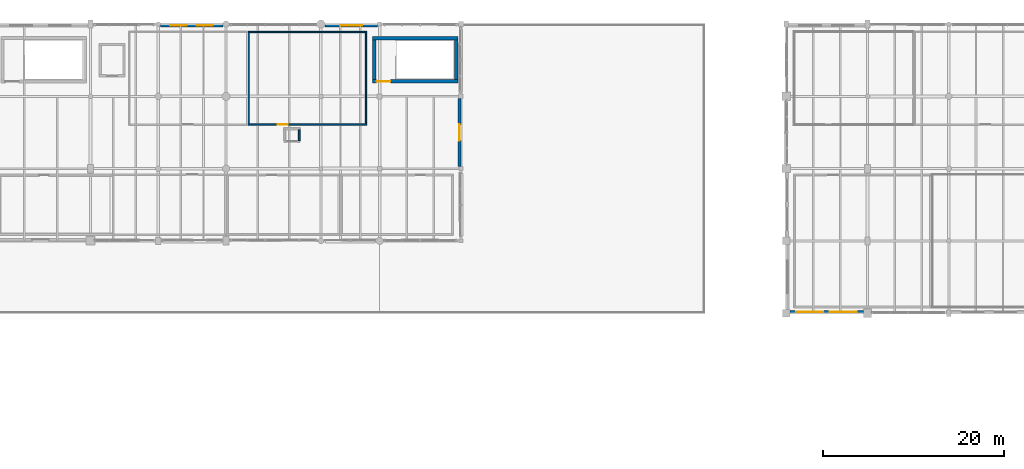
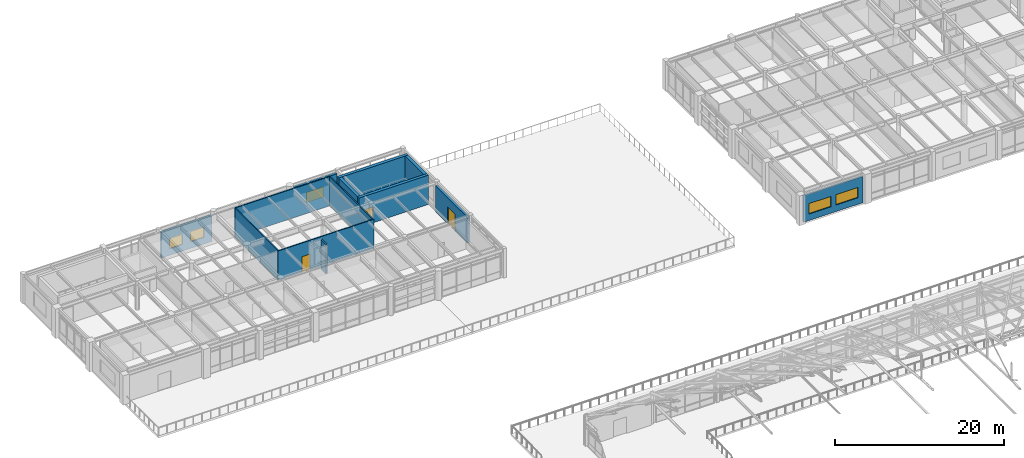
# One storey, part 153 of 168: 13 walls, 5 windows, 3 doors, 8 openings.
"""IFC4 building model written with IfcOpenShell, lengths in metres."""

from ifc_helpers import new_model, si_unit, direction, frame, frame_2d, origin, place, context, subcontext, project, spatial, rectangle, extrude, material, layer, layer_set, type_object, element, fill, save


model = new_model("IFC4")

# Units and contexts
model_context = context("Model", 3, precision=1e-05, world=origin(), true_north=direction((0.0, 1.0)))
body_context = subcontext(model_context, "Body", "Model", "MODEL_VIEW")
ifc_project = project(units=[si_unit("LENGTHUNIT", "METRE"), si_unit("AREAUNIT", "SQUARE_METRE"), si_unit("VOLUMEUNIT", "CUBIC_METRE"), si_unit("PLANEANGLEUNIT", "RADIAN"), si_unit("MASSUNIT", "GRAM", prefix="KILO"), si_unit("THERMODYNAMICTEMPERATUREUNIT", "KELVIN"), si_unit("POWERUNIT", "WATT")], contexts=[model_context])

# Site, building, storey
site_placement = place(None, origin())
site = spatial("IfcSite", under=ifc_project, at=site_placement, CompositionType="ELEMENT")
building_placement = place(site_placement, origin())
building = spatial("IfcBuilding", under=site, at=building_placement, Name="Tepalcoro Natatorium and Aquatics Centre", CompositionType="ELEMENT")
storey_placement = place(building_placement, frame((0.0, 0.0, 10.199951171875)))
storey = spatial("IfcBuildingStorey", under=building, at=storey_placement, Name="L02", CompositionType="ELEMENT", Elevation=10.199951171875)

# Wall, openings, windows
ifc_material_1 = material(Name="Precast Concrete C45/55 (fc 45 MPa)", Category="concrete")
ifc_layer_1 = layer(ifc_material_1, 0.284912109375)
ifc_layer_set_1 = layer_set([ifc_layer_1], Name="Precast Concrete C45/55 (fc 45 MPa)")
wall_type_1 = type_object("IfcWallType", Name="WL_EXT_INSUL_280", PredefinedType="SOLIDWALL", material=ifc_layer_set_1)
wall_1_placement = place(storey_placement, frame((98.404052734375, 86.142578125, 0.0), z_axis=(0.0, 0.0, 1.0), x_axis=(1.0, 0.0, 0.0)))
wall_1 = element("IfcWall", 1, at=wall_1_placement, inside=storey, type_object=wall_type_1, Name="V5 L02 S Volcanic Basalt Envelope Wall", PredefinedType="SOLIDWALL", context=body_context, shape_type="SweptSolid", body=[
    extrude(rectangle(XDim=8.141845703125, YDim=0.284912109375, at=frame_2d((4.07080078125, 0.0))), origin(), (0.0, 0.0, 1.0), 3.81005859375),
])
opening_1_placement = place(wall_1_placement, frame((0.714111328125, 0.0, 0.949951171875)))
opening_1 = element("IfcOpeningElement", 2, at=opening_1_placement, cuts=wall_1, Name="Opening W0096A", PredefinedType="OPENING", context=body_context, shape_type="SweptSolid", body=[
    extrude(rectangle(XDim=3.0, YDim=1.5, at=frame_2d((1.5, 0.75))), frame((0.0, 0.154296875, 0.0), z_axis=(0.0, -1.0, 0.0), x_axis=(1.0, 0.0, 0.0)), (0.0, 0.0, 1.0), 0.308837890625),
])
opening_2_placement = place(wall_1_placement, frame((4.427978515625, 0.0, 0.949951171875)))
opening_2 = element("IfcOpeningElement", 3, at=opening_2_placement, cuts=wall_1, Name="Opening W0096B", PredefinedType="OPENING", context=body_context, shape_type="SweptSolid", body=[
    extrude(rectangle(XDim=3.0, YDim=1.5, at=frame_2d((1.5, 0.75))), frame((0.0, 0.154296875, 0.0), z_axis=(0.0, -1.0, 0.0), x_axis=(1.0, 0.0, 0.0)), (0.0, 0.0, 1.0), 0.308837890625),
])
ifc_material_2 = material(Name="Solar-Control Bronze Tempered Low-E Double Glazing", Category="glass")
window_type_1 = type_object("IfcWindowType", Name="WN_300x150", PartitioningType="SINGLE_PANEL", PredefinedType="WINDOW", material=ifc_material_2)
window_1_placement = place(opening_1_placement, origin())
window_1 = element("IfcWindow", 4, at=window_1_placement, inside=storey, type_object=window_type_1, Name="Exterior Thermal Window WN_300x150", OverallHeight=1.5, OverallWidth=3.0, PartitioningType="SINGLE_PANEL", PredefinedType="WINDOW", context=body_context, shape_type="SweptSolid", body=[
    extrude(rectangle(XDim=3.0, YDim=1.5, at=frame_2d((1.5, 0.75))), frame((0.0, 0.030029296875, 0.0), z_axis=(0.0, -1.0, 0.0), x_axis=(1.0, 0.0, 0.0)), (0.0, 0.0, 1.0), 0.06005859375),
])
fill(opening_1, window_1)
window_2_placement = place(opening_2_placement, origin())
window_2 = element("IfcWindow", 5, at=window_2_placement, inside=storey, type_object=window_type_1, Name="Exterior Thermal Window WN_300x150", OverallHeight=1.5, OverallWidth=3.0, PartitioningType="SINGLE_PANEL", PredefinedType="WINDOW", context=body_context, shape_type="SweptSolid", body=[
    extrude(rectangle(XDim=3.0, YDim=1.5, at=frame_2d((1.5, 0.75))), frame((0.0, 0.030029296875, 0.0), z_axis=(0.0, -1.0, 0.0), x_axis=(1.0, 0.0, 0.0)), (0.0, 0.0, 1.0), 0.06005859375),
])
fill(opening_2, window_2)

ifc_material_3 = material(Name="Jalisco Cantera Rosa Volcanic Tuff Ashlar Masonry", Category="masonry")
ifc_layer_2 = layer(ifc_material_3, 0.320068359375)
ifc_layer_set_2 = layer_set([ifc_layer_2], Name="Jalisco Cantera Rosa Volcanic Tuff Ashlar Masonry")
wall_type_2 = type_object("IfcWallType", Name="WL_EXT_STONE_320", PredefinedType="SOLIDWALL", material=ifc_layer_set_2)
wall_2_placement = place(storey_placement, frame((28.75390625, 117.840087890625, 0.0), z_axis=(0.0, 0.0, 1.0), x_axis=(1.0, 0.0, 0.0)))
wall_2 = element("IfcWall", 6, at=wall_2_placement, inside=storey, type_object=wall_type_2, Name="V4 L02 N Volcanic Basalt Envelope Wall", PredefinedType="SOLIDWALL", context=body_context, shape_type="SweptSolid", body=[
    extrude(rectangle(XDim=6.89208984375, YDim=0.320068359375, at=frame_2d((3.446044921875, 0.0))), origin(), (0.0, 0.0, 1.0), 3.68408203125),
])
opening_3_placement = place(wall_2_placement, frame((1.097412109375, 0.0, 0.949951171875)))
opening_3 = element("IfcOpeningElement", 7, at=opening_3_placement, cuts=wall_2, Name="Opening W0079A", PredefinedType="OPENING", context=body_context, shape_type="SweptSolid", body=[
    extrude(rectangle(XDim=1.800048828125, YDim=1.5, at=frame_2d((0.89990234375, 0.75))), frame((0.0, 0.171875, 0.0), z_axis=(0.0, -1.0, 0.0), x_axis=(1.0, 0.0, 0.0)), (0.0, 0.0, 1.0), 0.343994140625),
])
opening_4_placement = place(wall_2_placement, frame((3.99462890625, 0.0, 0.949951171875)))
opening_4 = element("IfcOpeningElement", 8, at=opening_4_placement, cuts=wall_2, Name="Opening W0079B", PredefinedType="OPENING", context=body_context, shape_type="SweptSolid", body=[
    extrude(rectangle(XDim=1.800048828125, YDim=1.5, at=frame_2d((0.89990234375, 0.75))), frame((0.0, 0.171875, 0.0), z_axis=(0.0, -1.0, 0.0), x_axis=(1.0, 0.0, 0.0)), (0.0, 0.0, 1.0), 0.343994140625),
])
window_type_2 = type_object("IfcWindowType", Name="WN_180x150", PartitioningType="SINGLE_PANEL", PredefinedType="WINDOW", material=ifc_material_2)
window_3_placement = place(opening_3_placement, origin())
window_3 = element("IfcWindow", 9, at=window_3_placement, inside=storey, type_object=window_type_2, Name="Exterior Thermal Window WN_180x150", OverallHeight=1.5, OverallWidth=1.800048828125, PartitioningType="SINGLE_PANEL", PredefinedType="WINDOW", context=body_context, shape_type="SweptSolid", body=[
    extrude(rectangle(XDim=1.800048828125, YDim=1.5, at=frame_2d((0.89990234375, 0.75))), frame((0.0, 0.030029296875, 0.0), z_axis=(0.0, -1.0, 0.0), x_axis=(1.0, 0.0, 0.0)), (0.0, 0.0, 1.0), 0.06005859375),
])
fill(opening_3, window_3)
window_4_placement = place(opening_4_placement, origin())
window_4 = element("IfcWindow", 10, at=window_4_placement, inside=storey, type_object=window_type_2, Name="Exterior Thermal Window WN_180x150", OverallHeight=1.5, OverallWidth=1.800048828125, PartitioningType="SINGLE_PANEL", PredefinedType="WINDOW", context=body_context, shape_type="SweptSolid", body=[
    extrude(rectangle(XDim=1.800048828125, YDim=1.5, at=frame_2d((0.89990234375, 0.75))), frame((0.0, 0.030029296875, 0.0), z_axis=(0.0, -1.0, 0.0), x_axis=(1.0, 0.0, 0.0)), (0.0, 0.0, 1.0), 0.06005859375),
])
fill(opening_4, window_4)

# Wall, opening, window
wall_3_placement = place(storey_placement, frame((46.9541015625, 117.840087890625, 0.0), z_axis=(0.0, 0.0, 1.0), x_axis=(1.0, 0.0, 0.0)))
wall_3 = element("IfcWall", 11, at=wall_3_placement, inside=storey, type_object=wall_type_2, Name="V4 L02 N Volcanic Basalt Envelope Wall", PredefinedType="SOLIDWALL", context=body_context, shape_type="SweptSolid", body=[
    extrude(rectangle(XDim=5.81689453125, YDim=0.320068359375, at=frame_2d((2.908447265625, 0.0))), origin(), (0.0, 0.0, 1.0), 3.80712890625),
])
opening_5_placement = place(wall_3_placement, frame((1.70849609375, 0.0, 0.949951171875)))
opening_5 = element("IfcOpeningElement", 12, at=opening_5_placement, cuts=wall_3, Name="Opening W0080", PredefinedType="OPENING", context=body_context, shape_type="SweptSolid", body=[
    extrude(rectangle(XDim=2.39990234375, YDim=1.5, at=frame_2d((1.199951171875, 0.75))), frame((0.0, 0.171875, 0.0), z_axis=(0.0, -1.0, 0.0), x_axis=(1.0, 0.0, 0.0)), (0.0, 0.0, 1.0), 0.343994140625),
])
window_type_3 = type_object("IfcWindowType", Name="WN_240x150", PartitioningType="SINGLE_PANEL", PredefinedType="WINDOW", material=ifc_material_2)
window_5_placement = place(opening_5_placement, origin())
window_5 = element("IfcWindow", 13, at=window_5_placement, inside=storey, type_object=window_type_3, Name="Exterior Thermal Window WN_240x150", OverallHeight=1.5, OverallWidth=2.39990234375, PartitioningType="SINGLE_PANEL", PredefinedType="WINDOW", context=body_context, shape_type="SweptSolid", body=[
    extrude(rectangle(XDim=2.39990234375, YDim=1.5, at=frame_2d((1.199951171875, 0.75))), frame((0.0, 0.030029296875, 0.0), z_axis=(0.0, -1.0, 0.0), x_axis=(1.0, 0.0, 0.0)), (0.0, 0.0, 1.0), 0.06005859375),
])
fill(opening_5, window_5)

# Wall, opening, door
ifc_layer_3 = layer(ifc_material_3, 0.304931640625)
ifc_layer_set_3 = layer_set([ifc_layer_3], Name="Jalisco Cantera Rosa Volcanic Tuff Ashlar Masonry")
wall_type_3 = type_object("IfcWallType", Name="WL_EXT_TERRACOTTA_300", PredefinedType="SOLIDWALL", material=ifc_layer_set_3)
wall_4_placement = place(storey_placement, frame((61.847412109375, 102.22900390625, 0.0), z_axis=(0.0, 0.0, 1.0), x_axis=(0.0, 1.0, 0.0)))
wall_4 = element("IfcWall", 14, at=wall_4_placement, inside=storey, type_object=wall_type_3, Name="V4 L02 E Volcanic Basalt Envelope Wall", PredefinedType="SOLIDWALL", context=body_context, shape_type="SweptSolid", body=[
    extrude(rectangle(XDim=7.51708984375, YDim=0.304931640625, at=frame_2d((3.758544921875, 0.0))), origin(), (0.0, 0.0, 1.0), 3.760009765625),
])
opening_6_placement = place(wall_4_placement, frame((2.8583984375, 0.0, 0.0)))
opening_6 = element("IfcOpeningElement", 15, at=opening_6_placement, cuts=wall_4, Name="Opening ED5038", PredefinedType="OPENING", context=body_context, shape_type="SweptSolid", body=[
    extrude(rectangle(XDim=1.800048828125, YDim=2.39990234375, at=frame_2d((0.89990234375, 1.199951171875))), frame((0.0, 0.16455078125, 0.0), z_axis=(0.0, -1.0, 0.0), x_axis=(1.0, 0.0, 0.0)), (0.0, 0.0, 1.0), 0.328857421875),
])
ifc_material_4 = material(Name="Bronze-Anodised Extruded Aluminium Alloy EN AW-6063 T6", Category="aluminium")
door_type_1 = type_object("IfcDoorType", Name="DR_180x240_TERR", OperationType="NOTDEFINED", PredefinedType="DOOR", material=ifc_material_4)
door_1_placement = place(opening_6_placement, frame((1.800048828125, 0.0, 0.0), z_axis=(0.0, 0.0, 1.0), x_axis=(-1.0, 0.0, 0.0)))
door_1 = element("IfcDoor", 16, at=door_1_placement, inside=storey, type_object=door_type_1, Name="V4 L02 Recovery Terrace Door E", OperationType="DOUBLE_DOOR_SINGLE_SWING", OverallHeight=2.39990234375, OverallWidth=1.800048828125, PredefinedType="DOOR", context=body_context, shape_type="SweptSolid", body=[
    extrude(rectangle(XDim=1.800048828125, YDim=2.39990234375, at=frame_2d((0.89990234375, 1.199951171875))), frame((0.0, 0.02490234375, 0.0), z_axis=(0.0, -1.0, 0.0), x_axis=(1.0, 0.0, 0.0)), (0.0, 0.0, 1.0), 0.050048828125),
])
fill(opening_6, door_1)

ifc_material_5 = material(Name="Moisture-Resistant Acoustic Gypsum Drywall on Cold-Formed Metal Studs")
ifc_layer_4 = layer(ifc_material_5, 0.14990234375)
ifc_layer_set_4 = layer_set([ifc_layer_4], Name="Moisture-Resistant Acoustic Gypsum Drywall on Cold-Formed Metal Studs")
wall_type_4 = type_object("IfcWallType", Name="WL_PART_150_AC", PredefinedType="PARTITIONING", material=ifc_layer_set_4)
wall_5_placement = place(storey_placement, frame((38.43994140625, 106.875, 0.0), z_axis=(0.0, 0.0, 1.0), x_axis=(1.0, 0.0, 0.0)))
wall_5 = element("IfcWall", 17, at=wall_5_placement, inside=storey, type_object=wall_type_4, Name="Sports Medicine Physician & Ultrasound Rooms Partition S", PredefinedType="PARTITIONING", context=body_context, shape_type="SweptSolid", body=[
    extrude(rectangle(XDim=13.1201171875, YDim=0.14990234375, at=frame_2d((6.56005859375, 0.0))), origin(), (0.0, 0.0, 1.0), 4.235107421875),
])
opening_7_placement = place(wall_5_placement, frame((3.280029296875, 0.0, 0.0)))
opening_7 = element("IfcOpeningElement", 18, at=opening_7_placement, cuts=wall_5, Name="Opening D0167", PredefinedType="OPENING", context=body_context, shape_type="SweptSolid", body=[
    extrude(rectangle(XDim=1.10009765625, YDim=2.25, at=frame_2d((0.550048828125, 1.125))), frame((0.0, 0.0869140625, 0.0), z_axis=(0.0, -1.0, 0.0), x_axis=(1.0, 0.0, 0.0)), (0.0, 0.0, 1.0), 0.173828125),
])
ifc_material_6 = material(Name="Solid-Core Moisture-Sealed Oak Timber Leaf in Aluminium Frame", Category="wood")
door_type_2 = type_object("IfcDoorType", Name="DR_110x225", OperationType="NOTDEFINED", PredefinedType="DOOR", material=ifc_material_6)
door_2_placement = place(opening_7_placement, origin())
door_2 = element("IfcDoor", 19, at=door_2_placement, inside=storey, type_object=door_type_2, Name="Sports Medicine Physician & Ultrasound Rooms Door", OperationType="SINGLE_SWING_LEFT", OverallHeight=2.25, OverallWidth=1.10009765625, PredefinedType="DOOR", context=body_context, shape_type="SweptSolid", body=[
    extrude(rectangle(XDim=1.10009765625, YDim=2.25, at=frame_2d((0.550048828125, 1.125))), frame((0.0, 0.02490234375, 0.0), z_axis=(0.0, -1.0, 0.0), x_axis=(1.0, 0.0, 0.0)), (0.0, 0.0, 1.0), 0.050048828125),
])
fill(opening_7, door_2)

# Walls
wall_6_placement = place(storey_placement, frame((38.43994140625, 117.125, 0.0), z_axis=(0.0, 0.0, 1.0), x_axis=(1.0, 0.0, 0.0)))
element("IfcWall", 20, at=wall_6_placement, inside=storey, type_object=wall_type_4, Name="Sports Medicine Physician & Ultrasound Rooms Partition N", PredefinedType="PARTITIONING", context=body_context, shape_type="SweptSolid", body=[
    extrude(rectangle(XDim=13.1201171875, YDim=0.14990234375, at=frame_2d((6.56005859375, 0.0))), origin(), (0.0, 0.0, 1.0), 4.235107421875),
])
for number, where, z_axis, x_axis, name in (
    (21, (51.485107421875, 106.949951171875, 0.0), (0.0, 0.0, 1.0), (0.0, 1.0, 0.0), "Sports Medicine Physician & Ultrasound Rooms Partition E"),
    (22, (38.514892578125, 106.949951171875, 0.0), (0.0, 0.0, 1.0), (0.0, 1.0, 0.0), "Sports Medicine Physician & Ultrasound Rooms Partition W"),
):
    element("IfcWall", number, at=place(storey_placement, frame(where, z_axis=z_axis, x_axis=x_axis)), inside=storey, type_object=wall_type_4, Name=name, PredefinedType="PARTITIONING", context=body_context, shape_type="SweptSolid", body=[
        extrude(rectangle(XDim=10.10009765625, YDim=0.14990234375, at=frame_2d((5.050048828125, 0.0))), origin(), (0.0, 0.0, 1.0), 4.235107421875),
    ])

# Wall, opening, door
ifc_material_7 = material(Name="Concrete C40/50 (fc 40 MPa)", Category="concrete")
ifc_layer_5 = layer(ifc_material_7, 0.39990234375)
ifc_layer_set_5 = layer_set([ifc_layer_5], Name="Concrete C40/50 (fc 40 MPa)")
wall_type_5 = type_object("IfcWallType", Name="WL_SHEAR_400", PredefinedType="SHEAR", material=ifc_layer_set_5)
wall_7_placement = place(storey_placement, frame((52.199951171875, 111.64990234375, 0.0), z_axis=(0.0, 0.0, 1.0), x_axis=(1.0, 0.0, 0.0)))
wall_7 = element("IfcWall", 23, at=wall_7_placement, inside=storey, type_object=wall_type_5, Name="ST08 Core Shear Wall S L02", PredefinedType="SHEAR", context=body_context, shape_type="SweptSolid", body=[
    extrude(rectangle(XDim=9.5, YDim=0.39990234375, at=frame_2d((4.75, 0.0))), origin(), (0.0, 0.0, 1.0), 4.25),
])
opening_8_placement = place(wall_7_placement, frame((0.47998046875, 0.0, 0.0)))
opening_8 = element("IfcOpeningElement", 24, at=opening_8_placement, cuts=wall_7, Name="Opening D0032", PredefinedType="OPENING", context=body_context, shape_type="SweptSolid", body=[
    extrude(rectangle(XDim=1.5, YDim=2.300048828125, at=frame_2d((0.75, 1.14990234375))), frame((0.0, 0.2119140625, 0.0), z_axis=(0.0, -1.0, 0.0), x_axis=(1.0, 0.0, 0.0)), (0.0, 0.0, 1.0), 0.423828125),
])
ifc_material_8 = material(Name="Galvanised Steel Insulated Acoustic Fire Door Assembly", Category="steel")
door_type_3 = type_object("IfcDoorType", Name="DR_150x230_FD60", OperationType="NOTDEFINED", PredefinedType="DOOR", material=ifc_material_8)
door_3_placement = place(opening_8_placement, origin())
door_3 = element("IfcDoor", 25, at=door_3_placement, inside=storey, type_object=door_type_3, Name="ST08 Fire Stair Door (L02)", OperationType="DOUBLE_DOOR_SINGLE_SWING", OverallHeight=2.300048828125, OverallWidth=1.5, PredefinedType="DOOR", context=body_context, shape_type="SweptSolid", body=[
    extrude(rectangle(XDim=1.5, YDim=2.300048828125, at=frame_2d((0.75, 1.14990234375))), frame((0.0, 0.02490234375, 0.0), z_axis=(0.0, -1.0, 0.0), x_axis=(1.0, 0.0, 0.0)), (0.0, 0.0, 1.0), 0.050048828125),
])
fill(opening_8, door_3)

# Walls
wall_8_placement = place(storey_placement, frame((52.199951171875, 116.449951171875, 0.0), z_axis=(0.0, 0.0, 1.0), x_axis=(1.0, 0.0, 0.0)))
element("IfcWall", 26, at=wall_8_placement, inside=storey, type_object=wall_type_5, Name="ST08 Core Shear Wall N L02", PredefinedType="SHEAR", context=body_context, shape_type="SweptSolid", body=[
    extrude(rectangle(XDim=9.5, YDim=0.39990234375, at=frame_2d((4.75, 0.0))), origin(), (0.0, 0.0, 1.0), 4.25),
])
for number, where, z_axis, x_axis, name in (
    (27, (52.39990234375, 111.85009765625, 0.0), (0.0, 0.0, 1.0), (0.0, 1.0, 0.0), "ST08 Core Shear Wall W L02"),
    (28, (61.5, 111.85009765625, 0.0), (0.0, 0.0, 1.0), (0.0, 1.0, 0.0), "ST08 Core Shear Wall E L02"),
):
    element("IfcWall", number, at=place(storey_placement, frame(where, z_axis=z_axis, x_axis=x_axis)), inside=storey, type_object=wall_type_5, Name=name, PredefinedType="SHEAR", context=body_context, shape_type="SweptSolid", body=[
        extrude(rectangle(XDim=4.39990234375, YDim=0.39990234375, at=frame_2d((2.199951171875, 0.0))), origin(), (0.0, 0.0, 1.0), 4.25),
    ])
ifc_material_9 = material(Name="Concrete C35/45 (fc 35 MPa)", Category="concrete")
ifc_layer_6 = layer(ifc_material_9, 0.205078125)
ifc_layer_set_6 = layer_set([ifc_layer_6], Name="Concrete C35/45 (fc 35 MPa)")
wall_type_6 = type_object("IfcWallType", Name="WL_SOLID_200_FR120", PredefinedType="SOLIDWALL", material=ifc_layer_set_6)
wall_9_placement = place(storey_placement, frame((44.097412109375, 105.10498046875, 0.0), z_axis=(0.0, 0.0, 1.0), x_axis=(0.0, 1.0, 0.0)))
element("IfcWall", 29, at=wall_9_placement, inside=storey, type_object=wall_type_6, Name="V4 L02 MEP Switchgear & Telecom Closet Partition E", PredefinedType="SOLIDWALL", context=body_context, shape_type="SweptSolid", body=[
    extrude(rectangle(XDim=1.18994140625, YDim=0.205078125, at=frame_2d((0.594970703125, 0.0))), origin(), (0.0, 0.0, 1.0), 4.235107421875),
])

save(model, "model.ifc")
